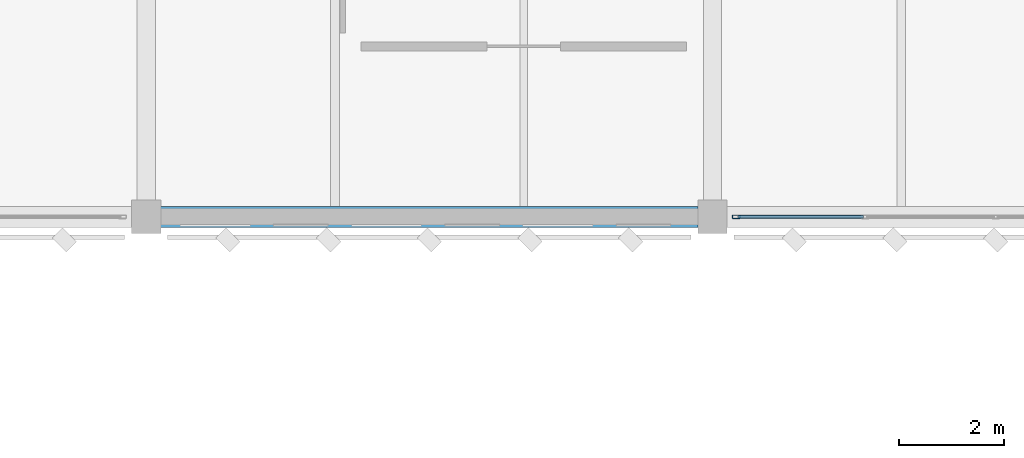
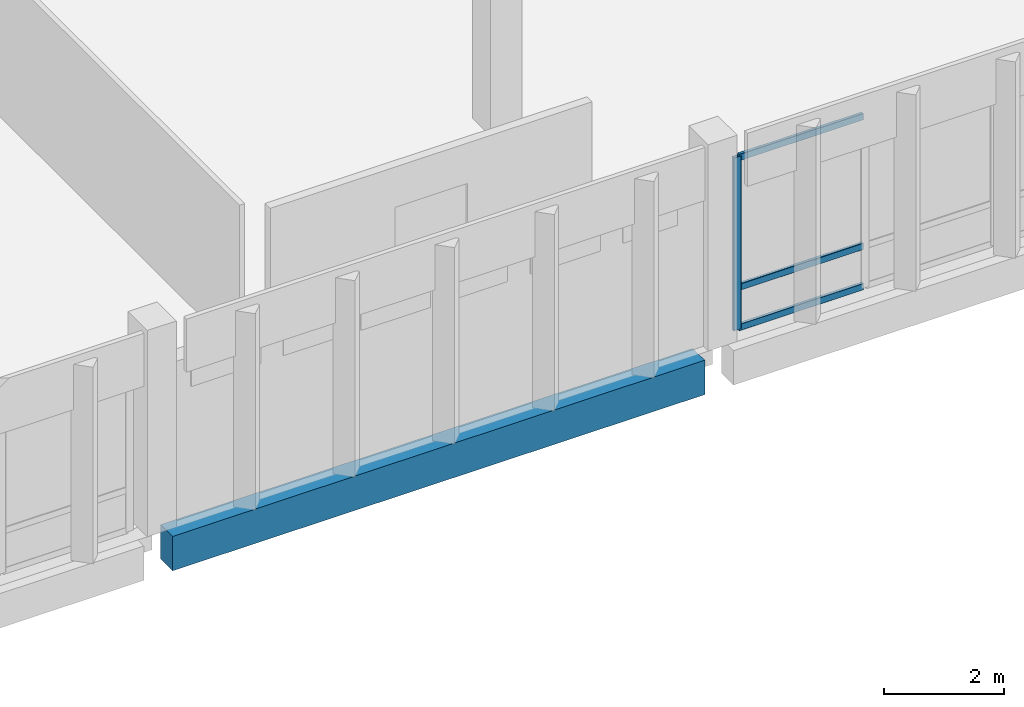
# One storey, part 46 of 158: 4 members, 1 beam, 1 element without a shape of its own.
"""IFC4 building model written with IfcOpenShell, lengths in metres."""

import ifcopenshell
import ifcopenshell.guid

model = None  # the IFC model being written
_history = None  # IfcOwnerHistory: only IFC2X3 demands one
_inside = {}  # id of a spatial element -> (the spatial element, [elements in it])
_under = {}  # id of a project, library or spatial element -> (it, [spatial elements below it])
_declared = {}  # id of a project -> (the project, [libraries it declares])
_typed = {}  # id of a type object -> (the type object, [elements of that type])
_made_of = {}  # id of a material, layer set ... -> (it, [elements and type objects made of it])


def new_model(schema):
    """Start an empty IFC model of exactly this schema.

    Asked for "IFC4X3", IfcOpenShell would pick the latest addendum, in which some entities
    have other attributes; the version numbers below select the first issue.
    IFC2X3 requires an IfcOwnerHistory on every rooted entity: one is made here for all.
    """
    global model, _history
    if schema == "IFC4X3":
        model = ifcopenshell.file(schema_version=(4, 3, 0, 0))
    else:
        model = ifcopenshell.file(schema=schema)
    _inside.clear()
    _under.clear()
    _declared.clear()
    _typed.clear()
    _made_of.clear()
    _history = None
    if model.schema == "IFC2X3":
        org = make("IfcOrganization", Name="unknown")
        user = make(
            "IfcPersonAndOrganization",
            ThePerson=make("IfcPerson", FamilyName="unknown"),
            TheOrganization=org,
        )
        app = make(
            "IfcApplication",
            ApplicationDeveloper=org,
            Version="unknown",
            ApplicationFullName="unknown",
            ApplicationIdentifier="unknown",
        )
        _history = make(
            "IfcOwnerHistory",
            OwningUser=user,
            OwningApplication=app,
            ChangeAction="ADDED",
            CreationDate=0,
        )
    return model


def make(cls, **values):
    """One entity of the class cls with the attributes given. An attribute that is None is left unset."""
    return model.create_entity(
        cls, **{name: value for name, value in values.items() if value is not None}
    )


def rooted(cls, **values):
    """An entity with a GlobalId (a new one), such as an element, a storey or a relation."""
    return make(cls, GlobalId=ifcopenshell.guid.new(), OwnerHistory=_history, **values)


def si_unit(unit_type, name, prefix=None):
    """IfcSIUnit, for example si_unit("LENGTHUNIT", "METRE", prefix="MILLI")."""
    return make("IfcSIUnit", UnitType=unit_type, Prefix=prefix, Name=name)


def assignment(units):
    """IfcUnitAssignment: the units of a project."""
    return None if units is None else make("IfcUnitAssignment", Units=units)


def point(xyz):
    """IfcCartesianPoint."""
    return None if xyz is None else make("IfcCartesianPoint", Coordinates=xyz)


def direction(xyz):
    """IfcDirection."""
    return None if xyz is None else make("IfcDirection", DirectionRatios=xyz)


def frame(location, z_axis=None, x_axis=None):
    """IfcAxis2Placement3D, a coordinate frame: its origin and axes. An axis left out is left unset."""
    return make(
        "IfcAxis2Placement3D",
        Location=point(location),
        Axis=direction(z_axis),
        RefDirection=direction(x_axis),
    )


def frame_2d(location, x_axis=None):
    """IfcAxis2Placement2D, a coordinate frame in the plane: its origin and x axis."""
    return make(
        "IfcAxis2Placement2D", Location=point(location), RefDirection=direction(x_axis)
    )


def origin():
    """The frame at (0, 0, 0) with its axes left unset."""
    return frame((0.0, 0.0, 0.0))


def origin_2d():
    """The frame at (0, 0) in the plane with its x axis left unset."""
    return frame_2d((0.0, 0.0))


def place(relative_to, where):
    """IfcLocalPlacement: puts the frame where relative to a parent placement (None: the world)."""
    return make(
        "IfcLocalPlacement", PlacementRelTo=relative_to, RelativePlacement=where
    )


def context(
    kind, dimensions, precision=None, world=None, true_north=None, identifier=None
):
    """IfcGeometricRepresentationContext, for example the 3D "Model" context."""
    return make(
        "IfcGeometricRepresentationContext",
        ContextIdentifier=identifier,
        ContextType=kind,
        CoordinateSpaceDimension=dimensions,
        Precision=precision,
        WorldCoordinateSystem=world,
        TrueNorth=true_north,
    )


def subcontext(parent, identifier, kind, view, scale=None):
    """IfcGeometricRepresentationSubContext, for example "Body" below "Model"."""
    return make(
        "IfcGeometricRepresentationSubContext",
        ContextIdentifier=identifier,
        ContextType=kind,
        ParentContext=parent,
        TargetScale=scale,
        TargetView=view,
    )


def project(units=None, contexts=None):
    """IfcProject with its units and contexts."""
    return rooted(
        "IfcProject",
        Name="project",
        RepresentationContexts=contexts,
        UnitsInContext=assignment(units),
    )


def spatial(cls, under=None, at=None, **own):
    """A site, building, storey or space (cls), placed at a placement, below another one or the project."""
    s = rooted(cls, ObjectPlacement=at, **own)
    if under is not None:
        _under.setdefault(under.id(), (under, []))[1].append(s)
    return s


def profile(cls, at=None, kind="AREA", **sizes):
    """A parametric profile (cls). Its sizes go by their IFC names, for example OverallWidth=200.0."""
    return make(cls, ProfileType=kind, Position=at, **sizes)


def rectangle(**sizes):
    """IfcRectangleProfileDef."""
    return profile("IfcRectangleProfileDef", **sizes)


def hollow_rectangle(**sizes):
    """IfcRectangleHollowProfileDef."""
    return profile("IfcRectangleHollowProfileDef", **sizes)


def extrude(swept, where, along, depth):
    """IfcExtrudedAreaSolid: the profile swept, set in the frame where, extruded along a direction by depth."""
    return make(
        "IfcExtrudedAreaSolid",
        SweptArea=swept,
        Position=where,
        ExtrudedDirection=direction(along),
        Depth=depth,
    )


def shape(context_of_items, identifier, shape_type, items):
    """IfcShapeRepresentation: the items that make up one representation, for example the "Body"."""
    return make(
        "IfcShapeRepresentation",
        ContextOfItems=context_of_items,
        RepresentationIdentifier=identifier,
        RepresentationType=shape_type,
        Items=items,
    )


def material(Name=None, Category=None):
    """IfcMaterial."""
    return make("IfcMaterial", Name=Name, Category=Category)


def material_profile(
    of_material, cross_section, Name=None, Category=None, Priority=None
):
    """IfcMaterialProfile: a cross section and its material."""
    return make(
        "IfcMaterialProfile",
        Name=Name,
        Material=of_material,
        Profile=cross_section,
        Priority=Priority,
        Category=Category,
    )


def profile_set(profiles, Name=None, composite=None):
    """IfcMaterialProfileSet."""
    return make(
        "IfcMaterialProfileSet",
        Name=Name,
        MaterialProfiles=profiles,
        CompositeProfile=composite,
    )


def made_of(thing, what):
    """Note that an element or type object is made of a material, layer set ...; save() writes the relation."""
    if what is not None:
        _made_of.setdefault(what.id(), (what, []))[1].append(thing)
    return thing


def type_object(cls, material=None, **own):
    """A type object (cls), such as IfcWallType, which elements share."""
    return made_of(rooted(cls, **own), material)


def element(
    cls,
    number,
    at=None,
    inside=None,
    cuts=None,
    type_object=None,
    material=None,
    context=None,
    identifier="Body",
    shape_type=None,
    held_by="IfcProductDefinitionShape",
    body=None,
    shapes=None,
    **own,
):
    """One element of the class cls, such as IfcWall. Its Tag is "e" and its number.

    at: its placement. inside: the storey or other place that contains it. cuts: it is an
    opening in that element (IfcRelVoidsElement). A single representation is given by context,
    identifier, shape_type and body (its items); several are given by shapes. held_by: the class
    of the entity that holds the representations. save() writes the other relations.
    """
    e = rooted(cls, Tag="e%d" % number, ObjectPlacement=at, **own)
    if body is not None:
        shapes = [shape(context, identifier, shape_type, body)]
    if shapes is not None:
        e.Representation = make(held_by, Representations=shapes)
    if inside is not None:
        _inside.setdefault(inside.id(), (inside, []))[1].append(e)
    if cuts is not None:
        rooted(
            "IfcRelVoidsElement", RelatingBuildingElement=cuts, RelatedOpeningElement=e
        )
    if type_object is not None:
        _typed.setdefault(type_object.id(), (type_object, []))[1].append(e)
    return made_of(e, material)


def aggregate(whole, parts):
    """IfcRelAggregates: a whole, such as a stair, and the parts it consists of."""
    return rooted("IfcRelAggregates", RelatingObject=whole, RelatedObjects=parts)


def save(model, path):
    """Write the relations noted so far, then the file.

    IfcRelAggregates (storeys below a building ...), IfcRelContainedInSpatialStructure (elements
    in a storey), IfcRelDefinesByType, IfcRelAssociatesMaterial and IfcRelDeclares: one each for
    every whole, place, type object, material and project.
    """
    for whole, parts in _under.values():
        aggregate(whole, parts)
    for where, things in _inside.values():
        rooted(
            "IfcRelContainedInSpatialStructure",
            RelatedElements=things,
            RelatingStructure=where,
        )
    for kind, things in _typed.values():
        rooted("IfcRelDefinesByType", RelatedObjects=things, RelatingType=kind)
    for what, things in _made_of.values():
        rooted("IfcRelAssociatesMaterial", RelatedObjects=things, RelatingMaterial=what)
    for by, libraries in _declared.values():
        rooted("IfcRelDeclares", RelatingContext=by, RelatedDefinitions=libraries)
    model.write(path)


model = new_model("IFC4")

# Units and contexts
model_context = context("Model", 3, precision=1e-05, world=origin(), true_north=direction((0.0, 1.0)))
body_context = subcontext(model_context, "Body", "Model", "MODEL_VIEW")
ifc_project = project(units=[si_unit("LENGTHUNIT", "METRE"), si_unit("AREAUNIT", "SQUARE_METRE"), si_unit("VOLUMEUNIT", "CUBIC_METRE"), si_unit("PLANEANGLEUNIT", "RADIAN"), si_unit("MASSUNIT", "GRAM", prefix="KILO")], contexts=[model_context])

# Site, building, storey
site_placement = place(None, origin())
site = spatial("IfcSite", under=ifc_project, at=site_placement, CompositionType="ELEMENT")
building_placement = place(site_placement, origin())
building = spatial("IfcBuilding", under=site, at=building_placement, Name="Lusvemor Sports Hall", CompositionType="ELEMENT")
storey_placement = place(building_placement, frame((0.0, 0.0, 10.800048828125)))
storey = spatial("IfcBuildingStorey", under=building, at=storey_placement, Name="L02", CompositionType="ELEMENT", Elevation=10.800048828125)

# Curtain wall, members
ifc_material_1 = material(Name="Thermally broken bronze-anodized aluminium", Category="aluminium")
curtain_wall_type = type_object("IfcCurtainWallType", Name="CW_WING_B", PredefinedType="NOTDEFINED", material=ifc_material_1)
curtain_wall_placement = place(storey_placement, origin())
curtain_wall = element("IfcCurtainWall", 1, at=curtain_wall_placement, inside=storey, type_object=curtain_wall_type, Name="Curtain Wall CW-L02-S-3-2", PredefinedType="NOTDEFINED")
ifc_material_2 = material(Name="Thermally broken bronze-anodized aluminium", Category="aluminium")
ifc_material_profile_1 = material_profile(ifc_material_2, hollow_rectangle(XDim=0.06494140625, YDim=0.14990234375, WallThickness=0.00390625, InnerFilletRadius=0.00390625, OuterFilletRadius=0.008056640625, at=origin_2d()), Name="CWMUL150x65x4")
ifc_profile_set_1 = profile_set([ifc_material_profile_1], Name="Thermally broken bronze-anodized aluminium")
member_type_1 = type_object("IfcMemberType", Name="CW_MUL_B", PredefinedType="MULLION", material=ifc_profile_set_1)
member_1_placement = place(storey_placement, frame((43.652587890625, 97.199951171875, 0.0), z_axis=(0.0, 0.0, 1.0), x_axis=(0.0, -1.0, 0.0)))
member_1 = element("IfcMember", 2, at=member_1_placement, type_object=member_type_1, Name="CW02 mullion 5", PredefinedType="MULLION", context=body_context, shape_type="SweptSolid", body=[
    extrude(hollow_rectangle(XDim=0.06494140625, YDim=0.14990234375, WallThickness=0.00390625, InnerFilletRadius=0.00390625, OuterFilletRadius=0.008056640625, at=origin_2d()), origin(), (0.0, 0.0, 1.0), 3.52001953125),
])
ifc_material_3 = material(Name="Thermally broken bronze-anodized aluminium", Category="aluminium")
ifc_material_profile_2 = material_profile(ifc_material_3, hollow_rectangle(XDim=0.06005859375, YDim=0.135009765625, WallThickness=0.00390625, InnerFilletRadius=0.00390625, OuterFilletRadius=0.008056640625, at=origin_2d()), Name="CWTRN135x60x4")
ifc_profile_set_2 = profile_set([ifc_material_profile_2], Name="Thermally broken bronze-anodized aluminium")
member_type_2 = type_object("IfcMemberType", Name="CW_TRN_B", PredefinedType="USERDEFINED", material=ifc_profile_set_2)
member_2_placement = place(storey_placement, frame((46.077392578125, 97.199951171875, 0.030029296875), z_axis=(-1.0, 0.0, 0.0), x_axis=(0.0, -1.0, 0.0)))
member_2 = element("IfcMember", 3, at=member_2_placement, type_object=member_type_2, Name="CW02 transom 4.1", ObjectType="TRANSOM", PredefinedType="USERDEFINED", context=body_context, shape_type="SweptSolid", body=[
    extrude(hollow_rectangle(XDim=0.06005859375, YDim=0.135009765625, WallThickness=0.00390625, InnerFilletRadius=0.00390625, OuterFilletRadius=0.008056640625, at=origin_2d()), origin(), (0.0, 0.0, 1.0), 2.392333984375),
])
member_3_placement = place(storey_placement, frame((46.077392578125, 97.199951171875, 0.849853515625), z_axis=(-1.0, 0.0, 0.0), x_axis=(0.0, -1.0, 0.0)))
member_3 = element("IfcMember", 4, at=member_3_placement, type_object=member_type_2, Name="CW02 transom 4.2", ObjectType="TRANSOM", PredefinedType="USERDEFINED", context=body_context, shape_type="SweptSolid", body=[
    extrude(hollow_rectangle(XDim=0.06005859375, YDim=0.135009765625, WallThickness=0.00390625, InnerFilletRadius=0.00390625, OuterFilletRadius=0.008056640625, at=origin_2d()), origin(), (0.0, 0.0, 1.0), 2.392333984375),
])
member_4_placement = place(storey_placement, frame((46.077392578125, 97.199951171875, 3.489990234375), z_axis=(-1.0, 0.0, 0.0), x_axis=(0.0, -1.0, 0.0)))
member_4 = element("IfcMember", 5, at=member_4_placement, type_object=member_type_2, Name="CW02 transom 4.3", ObjectType="TRANSOM", PredefinedType="USERDEFINED", context=body_context, shape_type="SweptSolid", body=[
    extrude(hollow_rectangle(XDim=0.06005859375, YDim=0.135009765625, WallThickness=0.00390625, InnerFilletRadius=0.00390625, OuterFilletRadius=0.008056640625, at=origin_2d()), origin(), (0.0, 0.0, 1.0), 2.392333984375),
])
aggregate(curtain_wall, [member_1, member_2, member_3, member_4])

# Beam
ifc_material_4 = material(Name="Concrete C40/50", Category="concrete")
ifc_material_profile_3 = material_profile(ifc_material_4, rectangle(XDim=0.39990234375, YDim=0.699951171875, at=origin_2d()), Name="RC400x700")
ifc_profile_set_3 = profile_set([ifc_material_profile_3], Name="Concrete C40/50")
beam_type = type_object("IfcBeamType", Name="SPAND_EXT_700", PredefinedType="SPANDREL", material=ifc_profile_set_3)
beam_placement = place(storey_placement, frame((32.676025390625, 97.199951171875, -0.610107421875), z_axis=(1.0, 0.0, 0.0), x_axis=(0.0, 1.0, 0.0)))
element("IfcBeam", 6, at=beam_placement, inside=storey, type_object=beam_type, Name="Beam L02 N:4-5", PredefinedType="SPANDREL", context=body_context, shape_type="SweptSolid", body=[
    extrude(rectangle(XDim=0.39990234375, YDim=0.699951171875, at=origin_2d()), origin(), (0.0, 0.0, 1.0), 10.248046875),
])

save(model, "model.ifc")
